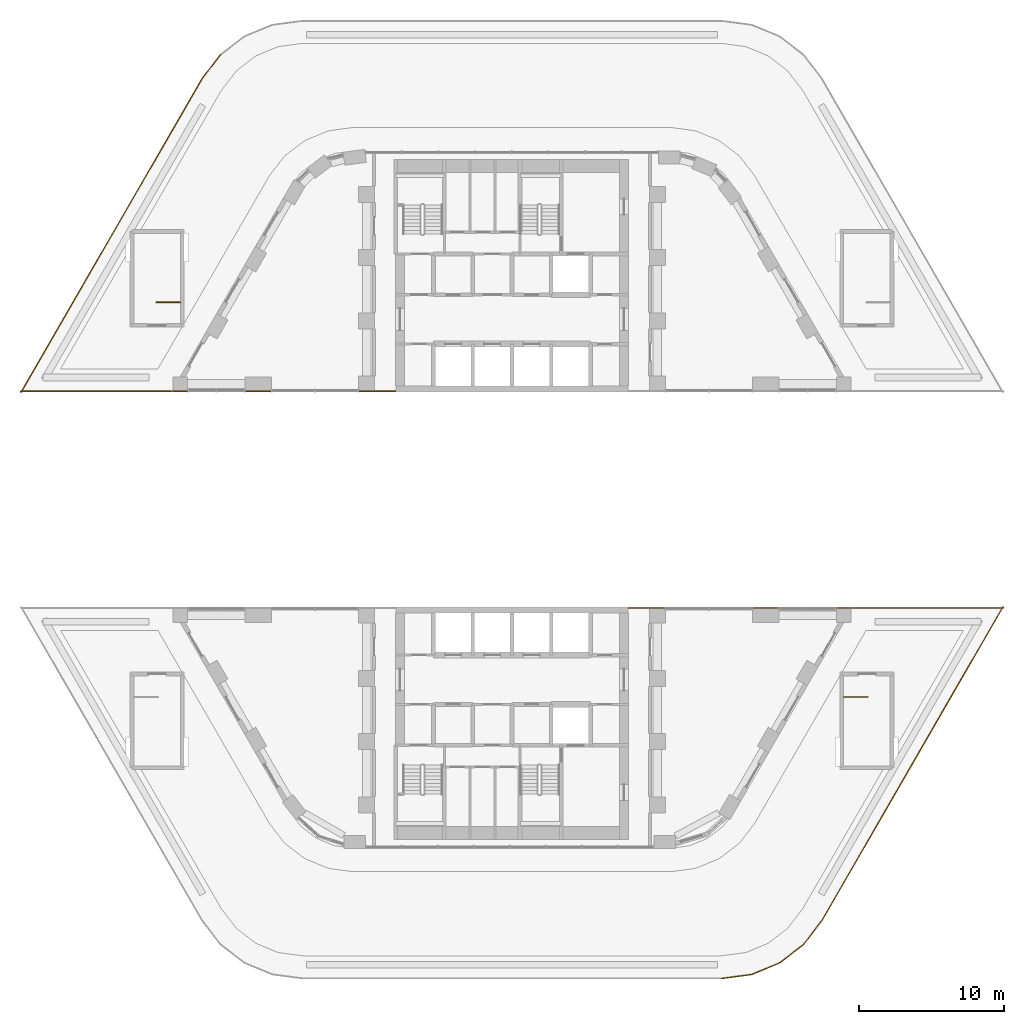
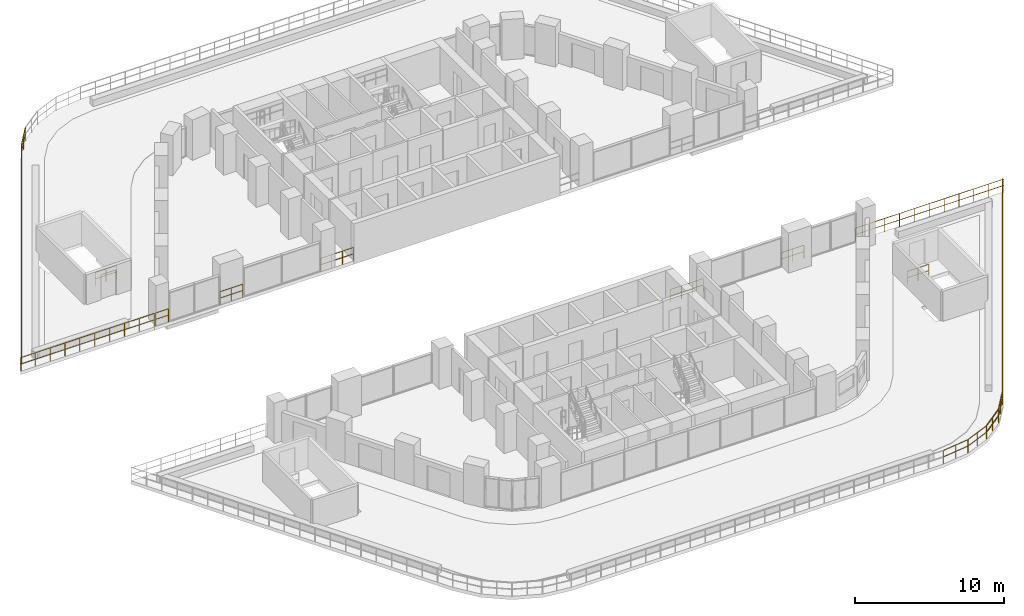
# One storey, part 20 of 24: 17 railings.
"""IFC4 building model written with IfcOpenShell, lengths in metres."""

from ifc_helpers import new_model, si_unit, direction, frame, origin, origin_2d, place, context, subcontext, project, spatial, circle, extrude, material, type_object, element, save


model = new_model("IFC4")

# Units and contexts
model_context = context("Model", 3, precision=1e-05, world=origin(), true_north=direction((0.0, 1.0)))
body_context = subcontext(model_context, "Body", "Model", "MODEL_VIEW")
ifc_project = project(units=[si_unit("LENGTHUNIT", "METRE"), si_unit("AREAUNIT", "SQUARE_METRE"), si_unit("VOLUMEUNIT", "CUBIC_METRE"), si_unit("PLANEANGLEUNIT", "RADIAN"), si_unit("MASSUNIT", "GRAM", prefix="KILO")], contexts=[model_context])

# Site, building, storey
site_placement = place(None, origin())
site = spatial("IfcSite", under=ifc_project, at=site_placement, CompositionType="ELEMENT")
building_placement = place(site_placement, origin())
building = spatial("IfcBuilding", under=site, at=building_placement, Name="Nakaniwa Court", CompositionType="ELEMENT")
storey_placement = place(building_placement, frame((0.0, 0.0, 28.199951171875)))
storey = spatial("IfcBuildingStorey", under=building, at=storey_placement, Name="L06", CompositionType="ELEMENT", Elevation=28.199951171875)

# Railings
ifc_material_1 = material(Name="Black powder-coated steel flat bar balustrade S275", Category="steel")
railing_type_1 = type_object("IfcRailingType", Name="Black metal terrace guard 1100", PredefinedType="GUARDRAIL", material=ifc_material_1)
railing_1_placement = place(storey_placement, frame((101.318603515625, 51.02490234375, 0.0)))
element("IfcRailing", 1, at=railing_1_placement, inside=storey, type_object=railing_type_1, Name="L06 play deck 1 guard 1", PredefinedType="GUARDRAIL", context=body_context, shape_type="SweptSolid", body=[
    extrude(circle(Radius=0.02392578125, at=origin_2d()), frame((0.0, 0.0, 1.076171875), z_axis=(0.499996419489, 0.866027470984, 0.0), x_axis=(-0.866027470984, 0.499996419489, 0.0)), (0.0, 0.0, 1.0), 24.941650390625),
    extrude(circle(Radius=0.02392578125, at=origin_2d()), frame((0.0, 0.0, 0.550048828125), z_axis=(0.499996419489, 0.866027470984, 0.0), x_axis=(-0.866027470984, 0.499996419489, 0.0)), (0.0, 0.0, 1.0), 24.941650390625),
    extrude(circle(Radius=0.02099609375, at=origin_2d()), origin(), (0.0, 0.0, 1.0), 1.052001953125),
    extrude(circle(Radius=0.02099609375, at=origin_2d()), frame((0.59375, 1.028564453125, 0.0)), (0.0, 0.0, 1.0), 1.052001953125),
    extrude(circle(Radius=0.02099609375, at=origin_2d()), frame((1.187744140625, 2.05712890625, 0.0)), (0.0, 0.0, 1.0), 1.052001953125),
    extrude(circle(Radius=0.02099609375, at=origin_2d()), frame((1.781494140625, 3.085693359375, 0.0)), (0.0, 0.0, 1.0), 1.052001953125),
    extrude(circle(Radius=0.02099609375, at=origin_2d()), frame((2.37548828125, 4.1142578125, 0.0)), (0.0, 0.0, 1.0), 1.052001953125),
    extrude(circle(Radius=0.02099609375, at=origin_2d()), frame((2.96923828125, 5.142822265625, 0.0)), (0.0, 0.0, 1.0), 1.052001953125),
    extrude(circle(Radius=0.02099609375, at=origin_2d()), frame((3.56298828125, 6.17138671875, 0.0)), (0.0, 0.0, 1.0), 1.052001953125),
    extrude(circle(Radius=0.02099609375, at=origin_2d()), frame((4.156982421875, 7.199951171875, 0.0)), (0.0, 0.0, 1.0), 1.052001953125),
    extrude(circle(Radius=0.02099609375, at=origin_2d()), frame((4.750732421875, 8.228515625, 0.0)), (0.0, 0.0, 1.0), 1.052001953125),
    extrude(circle(Radius=0.02099609375, at=origin_2d()), frame((5.344482421875, 9.257080078125, 0.0)), (0.0, 0.0, 1.0), 1.052001953125),
    extrude(circle(Radius=0.02099609375, at=origin_2d()), frame((5.9384765625, 10.28564453125, 0.0)), (0.0, 0.0, 1.0), 1.052001953125),
    extrude(circle(Radius=0.02099609375, at=origin_2d()), frame((6.5322265625, 11.314453125, 0.0)), (0.0, 0.0, 1.0), 1.052001953125),
    extrude(circle(Radius=0.02099609375, at=origin_2d()), frame((7.126220703125, 12.343017578125, 0.0)), (0.0, 0.0, 1.0), 1.052001953125),
    extrude(circle(Radius=0.02099609375, at=origin_2d()), frame((7.719970703125, 13.37158203125, 0.0)), (0.0, 0.0, 1.0), 1.052001953125),
    extrude(circle(Radius=0.02099609375, at=origin_2d()), frame((8.313720703125, 14.400146484375, 0.0)), (0.0, 0.0, 1.0), 1.052001953125),
    extrude(circle(Radius=0.02099609375, at=origin_2d()), frame((8.90771484375, 15.4287109375, 0.0)), (0.0, 0.0, 1.0), 1.052001953125),
    extrude(circle(Radius=0.02099609375, at=origin_2d()), frame((9.50146484375, 16.457275390625, 0.0)), (0.0, 0.0, 1.0), 1.052001953125),
    extrude(circle(Radius=0.02099609375, at=origin_2d()), frame((10.09521484375, 17.48583984375, 0.0)), (0.0, 0.0, 1.0), 1.052001953125),
    extrude(circle(Radius=0.02099609375, at=origin_2d()), frame((10.689208984375, 18.514404296875, 0.0)), (0.0, 0.0, 1.0), 1.052001953125),
    extrude(circle(Radius=0.02099609375, at=origin_2d()), frame((11.282958984375, 19.54296875, 0.0)), (0.0, 0.0, 1.0), 1.052001953125),
    extrude(circle(Radius=0.02099609375, at=origin_2d()), frame((11.876953125, 20.571533203125, 0.0)), (0.0, 0.0, 1.0), 1.052001953125),
    extrude(circle(Radius=0.02099609375, at=origin_2d()), frame((12.470703125, 21.60009765625, 0.0)), (0.0, 0.0, 1.0), 1.052001953125),
])
railing_2_placement = place(storey_placement, frame((113.832763671875, 72.550048828125, 0.0)))
element("IfcRailing", 2, at=railing_2_placement, inside=storey, type_object=railing_type_1, Name="L06 play deck 1 guard 2", PredefinedType="GUARDRAIL", context=body_context, shape_type="SweptSolid", body=[
    extrude(circle(Radius=0.02392578125, at=origin_2d()), frame((0.0, 0.0, 1.076171875), z_axis=(-1.0, 0.0, 0.0), x_axis=(0.0, -1.0, 0.0)), (0.0, 0.0, 1.0), 10.392333984375),
    extrude(circle(Radius=0.02392578125, at=origin_2d()), frame((0.0, 0.0, 0.550048828125), z_axis=(-1.0, 0.0, 0.0), x_axis=(0.0, -1.0, 0.0)), (0.0, 0.0, 1.0), 10.392333984375),
    extrude(circle(Radius=0.02099609375, at=origin_2d()), origin(), (0.0, 0.0, 1.0), 1.052001953125),
    extrude(circle(Radius=0.02099609375, at=origin_2d()), frame((-1.15478515625, 0.0, 0.0)), (0.0, 0.0, 1.0), 1.052001953125),
    extrude(circle(Radius=0.02099609375, at=origin_2d()), frame((-2.309326171875, 0.0, 0.0)), (0.0, 0.0, 1.0), 1.052001953125),
    extrude(circle(Radius=0.02099609375, at=origin_2d()), frame((-3.464111328125, 0.0, 0.0)), (0.0, 0.0, 1.0), 1.052001953125),
    extrude(circle(Radius=0.02099609375, at=origin_2d()), frame((-4.618896484375, 0.0, 0.0)), (0.0, 0.0, 1.0), 1.052001953125),
    extrude(circle(Radius=0.02099609375, at=origin_2d()), frame((-5.7734375, 0.0, 0.0)), (0.0, 0.0, 1.0), 1.052001953125),
    extrude(circle(Radius=0.02099609375, at=origin_2d()), frame((-6.92822265625, 0.0, 0.0)), (0.0, 0.0, 1.0), 1.052001953125),
    extrude(circle(Radius=0.02099609375, at=origin_2d()), frame((-8.0830078125, 0.0, 0.0)), (0.0, 0.0, 1.0), 1.052001953125),
    extrude(circle(Radius=0.02099609375, at=origin_2d()), frame((-9.237548828125, 0.0, 0.0)), (0.0, 0.0, 1.0), 1.052001953125),
    extrude(circle(Radius=0.02099609375, at=origin_2d()), frame((-10.392333984375, 0.0, 0.0)), (0.0, 0.0, 1.0), 1.052001953125),
])
railing_3_placement = place(storey_placement, frame((94.42724609375, 47.049560546875, 0.0)))
element("IfcRailing", 3, at=railing_3_placement, inside=storey, type_object=railing_type_1, Name="L06 play deck 1 guard 10", PredefinedType="GUARDRAIL", context=body_context, shape_type="SweptSolid", body=[
    extrude(circle(Radius=0.02392578125, at=origin_2d()), frame((0.0, 0.0, 1.076171875), z_axis=(0.991437974162, 0.130578495123, 0.0), x_axis=(-0.130578495123, 0.991437974162, 0.0)), (0.0, 0.0, 1.0), 2.08837890625),
    extrude(circle(Radius=0.02392578125, at=origin_2d()), frame((0.0, 0.0, 0.550048828125), z_axis=(0.991437974162, 0.130578495123, 0.0), x_axis=(-0.130578495123, 0.991437974162, 0.0)), (0.0, 0.0, 1.0), 2.08837890625),
    extrude(circle(Radius=0.02099609375, at=origin_2d()), origin(), (0.0, 0.0, 1.0), 1.052001953125),
    extrude(circle(Radius=0.02099609375, at=origin_2d()), frame((1.03515625, 0.13623046875, 0.0)), (0.0, 0.0, 1.0), 1.052001953125),
    extrude(circle(Radius=0.02099609375, at=origin_2d()), frame((2.070556640625, 0.272705078125, 0.0)), (0.0, 0.0, 1.0), 1.052001953125),
])
railing_4_placement = place(storey_placement, frame((96.485107421875, 47.31884765625, 0.0)))
element("IfcRailing", 4, at=railing_4_placement, inside=storey, type_object=railing_type_1, Name="L06 play deck 1 guard 11", PredefinedType="GUARDRAIL", context=body_context, shape_type="SweptSolid", body=[
    extrude(circle(Radius=0.02392578125, at=origin_2d()), frame((0.0, 0.0, 1.076171875), z_axis=(0.923918540982, 0.382589244007, 0.0), x_axis=(-0.382589244007, 0.923918540982, 0.0)), (0.0, 0.0, 1.0), 2.088623046875),
    extrude(circle(Radius=0.02392578125, at=origin_2d()), frame((0.0, 0.0, 0.550048828125), z_axis=(0.923918540982, 0.382589244007, 0.0), x_axis=(-0.382589244007, 0.923918540982, 0.0)), (0.0, 0.0, 1.0), 2.088623046875),
    extrude(circle(Radius=0.02099609375, at=origin_2d()), origin(), (0.0, 0.0, 1.0), 1.052001953125),
    extrude(circle(Radius=0.02099609375, at=origin_2d()), frame((0.96484375, 0.3994140625, 0.0)), (0.0, 0.0, 1.0), 1.052001953125),
    extrude(circle(Radius=0.02099609375, at=origin_2d()), frame((1.9296875, 0.799072265625, 0.0)), (0.0, 0.0, 1.0), 1.052001953125),
])
railing_5_placement = place(storey_placement, frame((98.4033203125, 48.111572265625, 0.0)))
element("IfcRailing", 5, at=railing_5_placement, inside=storey, type_object=railing_type_1, Name="L06 play deck 1 guard 12", PredefinedType="GUARDRAIL", context=body_context, shape_type="SweptSolid", body=[
    extrude(circle(Radius=0.02392578125, at=origin_2d()), frame((0.0, 0.0, 1.076171875), z_axis=(0.793401229683, 0.608699013255, 0.0), x_axis=(-0.608699013255, 0.793401229683, 0.0)), (0.0, 0.0, 1.0), 2.08837890625),
    extrude(circle(Radius=0.02392578125, at=origin_2d()), frame((0.0, 0.0, 0.550048828125), z_axis=(0.793401229683, 0.608699013255, 0.0), x_axis=(-0.608699013255, 0.793401229683, 0.0)), (0.0, 0.0, 1.0), 2.08837890625),
    extrude(circle(Radius=0.02099609375, at=origin_2d()), origin(), (0.0, 0.0, 1.0), 1.052001953125),
    extrude(circle(Radius=0.02099609375, at=origin_2d()), frame((0.82861328125, 0.6357421875, 0.0)), (0.0, 0.0, 1.0), 1.052001953125),
    extrude(circle(Radius=0.02099609375, at=origin_2d()), frame((1.656982421875, 1.271240234375, 0.0)), (0.0, 0.0, 1.0), 1.052001953125),
])
railing_6_placement = place(storey_placement, frame((100.05078125, 49.37353515625, 0.0)))
element("IfcRailing", 6, at=railing_6_placement, inside=storey, type_object=railing_type_1, Name="L06 play deck 1 guard 13", PredefinedType="GUARDRAIL", context=body_context, shape_type="SweptSolid", body=[
    extrude(circle(Radius=0.02392578125, at=origin_2d()), frame((0.0, 0.0, 1.076171875), z_axis=(0.608772592343, 0.793344774239, 0.0), x_axis=(-0.793344774239, 0.608772592343, 0.0)), (0.0, 0.0, 1.0), 2.088623046875),
    extrude(circle(Radius=0.02392578125, at=origin_2d()), frame((0.0, 0.0, 0.550048828125), z_axis=(0.608772592343, 0.793344774239, 0.0), x_axis=(-0.793344774239, 0.608772592343, 0.0)), (0.0, 0.0, 1.0), 2.088623046875),
    extrude(circle(Radius=0.02099609375, at=origin_2d()), origin(), (0.0, 0.0, 1.0), 1.052001953125),
    extrude(circle(Radius=0.02099609375, at=origin_2d()), frame((0.6357421875, 0.82861328125, 0.0)), (0.0, 0.0, 1.0), 1.052001953125),
    extrude(circle(Radius=0.02099609375, at=origin_2d()), frame((1.271484375, 1.656982421875, 0.0)), (0.0, 0.0, 1.0), 1.052001953125),
])
railing_7_placement = place(storey_placement, frame((58.681396484375, 108.97509765625, 0.0)))
element("IfcRailing", 7, at=railing_7_placement, inside=storey, type_object=railing_type_1, Name="L06 play deck 2 guard 1", PredefinedType="GUARDRAIL", context=body_context, shape_type="SweptSolid", body=[
    extrude(circle(Radius=0.02392578125, at=origin_2d()), frame((0.0, 0.0, 1.076171875), z_axis=(-0.499996419489, -0.866027470984, 0.0), x_axis=(0.866027470984, -0.499996419489, 0.0)), (0.0, 0.0, 1.0), 24.941650390625),
    extrude(circle(Radius=0.02392578125, at=origin_2d()), frame((0.0, 0.0, 0.550048828125), z_axis=(-0.499996419489, -0.866027470984, 0.0), x_axis=(0.866027470984, -0.499996419489, 0.0)), (0.0, 0.0, 1.0), 24.941650390625),
    extrude(circle(Radius=0.02099609375, at=origin_2d()), origin(), (0.0, 0.0, 1.0), 1.052001953125),
    extrude(circle(Radius=0.02099609375, at=origin_2d()), frame((-0.59375, -1.028564453125, 0.0)), (0.0, 0.0, 1.0), 1.052001953125),
    extrude(circle(Radius=0.02099609375, at=origin_2d()), frame((-1.187744140625, -2.05712890625, 0.0)), (0.0, 0.0, 1.0), 1.052001953125),
    extrude(circle(Radius=0.02099609375, at=origin_2d()), frame((-1.781494140625, -3.085693359375, 0.0)), (0.0, 0.0, 1.0), 1.052001953125),
    extrude(circle(Radius=0.02099609375, at=origin_2d()), frame((-2.37548828125, -4.1142578125, 0.0)), (0.0, 0.0, 1.0), 1.052001953125),
    extrude(circle(Radius=0.02099609375, at=origin_2d()), frame((-2.96923828125, -5.142822265625, 0.0)), (0.0, 0.0, 1.0), 1.052001953125),
    extrude(circle(Radius=0.02099609375, at=origin_2d()), frame((-3.56298828125, -6.17138671875, 0.0)), (0.0, 0.0, 1.0), 1.052001953125),
    extrude(circle(Radius=0.02099609375, at=origin_2d()), frame((-4.156982421875, -7.199951171875, 0.0)), (0.0, 0.0, 1.0), 1.052001953125),
    extrude(circle(Radius=0.02099609375, at=origin_2d()), frame((-4.750732421875, -8.228515625, 0.0)), (0.0, 0.0, 1.0), 1.052001953125),
    extrude(circle(Radius=0.02099609375, at=origin_2d()), frame((-5.344482421875, -9.257080078125, 0.0)), (0.0, 0.0, 1.0), 1.052001953125),
    extrude(circle(Radius=0.02099609375, at=origin_2d()), frame((-5.9384765625, -10.28564453125, 0.0)), (0.0, 0.0, 1.0), 1.052001953125),
    extrude(circle(Radius=0.02099609375, at=origin_2d()), frame((-6.5322265625, -11.314453125, 0.0)), (0.0, 0.0, 1.0), 1.052001953125),
    extrude(circle(Radius=0.02099609375, at=origin_2d()), frame((-7.126220703125, -12.343017578125, 0.0)), (0.0, 0.0, 1.0), 1.052001953125),
    extrude(circle(Radius=0.02099609375, at=origin_2d()), frame((-7.719970703125, -13.37158203125, 0.0)), (0.0, 0.0, 1.0), 1.052001953125),
    extrude(circle(Radius=0.02099609375, at=origin_2d()), frame((-8.313720703125, -14.400146484375, 0.0)), (0.0, 0.0, 1.0), 1.052001953125),
    extrude(circle(Radius=0.02099609375, at=origin_2d()), frame((-8.90771484375, -15.4287109375, 0.0)), (0.0, 0.0, 1.0), 1.052001953125),
    extrude(circle(Radius=0.02099609375, at=origin_2d()), frame((-9.50146484375, -16.457275390625, 0.0)), (0.0, 0.0, 1.0), 1.052001953125),
    extrude(circle(Radius=0.02099609375, at=origin_2d()), frame((-10.09521484375, -17.48583984375, 0.0)), (0.0, 0.0, 1.0), 1.052001953125),
    extrude(circle(Radius=0.02099609375, at=origin_2d()), frame((-10.689208984375, -18.514404296875, 0.0)), (0.0, 0.0, 1.0), 1.052001953125),
    extrude(circle(Radius=0.02099609375, at=origin_2d()), frame((-11.282958984375, -19.54296875, 0.0)), (0.0, 0.0, 1.0), 1.052001953125),
    extrude(circle(Radius=0.02099609375, at=origin_2d()), frame((-11.876953125, -20.571533203125, 0.0)), (0.0, 0.0, 1.0), 1.052001953125),
    extrude(circle(Radius=0.02099609375, at=origin_2d()), frame((-12.470703125, -21.60009765625, 0.0)), (0.0, 0.0, 1.0), 1.052001953125),
])
railing_8_placement = place(storey_placement, frame((46.167236328125, 87.449951171875, 0.0)))
element("IfcRailing", 8, at=railing_8_placement, inside=storey, type_object=railing_type_1, Name="L06 play deck 2 guard 2", PredefinedType="GUARDRAIL", context=body_context, shape_type="SweptSolid", body=[
    extrude(circle(Radius=0.02392578125, at=origin_2d()), frame((0.0, 0.0, 1.076171875), z_axis=(1.0, 0.0, 0.0), x_axis=(0.0, 1.0, 0.0)), (0.0, 0.0, 1.0), 10.392333984375),
    extrude(circle(Radius=0.02392578125, at=origin_2d()), frame((0.0, 0.0, 0.550048828125), z_axis=(1.0, 0.0, 0.0), x_axis=(0.0, 1.0, 0.0)), (0.0, 0.0, 1.0), 10.392333984375),
    extrude(circle(Radius=0.02099609375, at=origin_2d()), origin(), (0.0, 0.0, 1.0), 1.052001953125),
    extrude(circle(Radius=0.02099609375, at=origin_2d()), frame((1.15478515625, 0.0, 0.0)), (0.0, 0.0, 1.0), 1.052001953125),
    extrude(circle(Radius=0.02099609375, at=origin_2d()), frame((2.309326171875, 0.0, 0.0)), (0.0, 0.0, 1.0), 1.052001953125),
    extrude(circle(Radius=0.02099609375, at=origin_2d()), frame((3.464111328125, 0.0, 0.0)), (0.0, 0.0, 1.0), 1.052001953125),
    extrude(circle(Radius=0.02099609375, at=origin_2d()), frame((4.618896484375, 0.0, 0.0)), (0.0, 0.0, 1.0), 1.052001953125),
    extrude(circle(Radius=0.02099609375, at=origin_2d()), frame((5.7734375, 0.0, 0.0)), (0.0, 0.0, 1.0), 1.052001953125),
    extrude(circle(Radius=0.02099609375, at=origin_2d()), frame((6.92822265625, 0.0, 0.0)), (0.0, 0.0, 1.0), 1.052001953125),
    extrude(circle(Radius=0.02099609375, at=origin_2d()), frame((8.0830078125, 0.0, 0.0)), (0.0, 0.0, 1.0), 1.052001953125),
    extrude(circle(Radius=0.02099609375, at=origin_2d()), frame((9.237548828125, 0.0, 0.0)), (0.0, 0.0, 1.0), 1.052001953125),
    extrude(circle(Radius=0.02099609375, at=origin_2d()), frame((10.392333984375, 0.0, 0.0)), (0.0, 0.0, 1.0), 1.052001953125),
])
railing_9_placement = place(storey_placement, frame((59.94921875, 110.62646484375, 0.0)))
element("IfcRailing", 9, at=railing_9_placement, inside=storey, type_object=railing_type_1, Name="L06 play deck 2 guard 13", PredefinedType="GUARDRAIL", context=body_context, shape_type="SweptSolid", body=[
    extrude(circle(Radius=0.02392578125, at=origin_2d()), frame((0.0, 0.0, 1.076171875), z_axis=(-0.608772592343, -0.793344774239, 0.0), x_axis=(0.793344774239, -0.608772592343, 0.0)), (0.0, 0.0, 1.0), 2.088623046875),
    extrude(circle(Radius=0.02392578125, at=origin_2d()), frame((0.0, 0.0, 0.550048828125), z_axis=(-0.608772592343, -0.793344774239, 0.0), x_axis=(0.793344774239, -0.608772592343, 0.0)), (0.0, 0.0, 1.0), 2.088623046875),
    extrude(circle(Radius=0.02099609375, at=origin_2d()), origin(), (0.0, 0.0, 1.0), 1.052001953125),
    extrude(circle(Radius=0.02099609375, at=origin_2d()), frame((-0.6357421875, -0.82861328125, 0.0)), (0.0, 0.0, 1.0), 1.052001953125),
    extrude(circle(Radius=0.02099609375, at=origin_2d()), frame((-1.271484375, -1.656982421875, 0.0)), (0.0, 0.0, 1.0), 1.052001953125),
])
ifc_material_2 = material(Name="Black powder coated steel guard", Category="steel")
railing_type_2 = type_object("IfcRailingType", Name="Stair guard 1100", PredefinedType="GUARDRAIL", material=ifc_material_2)
railing_10_placement = place(storey_placement, frame((57.175048828125, 93.574951171875, 0.0)))
element("IfcRailing", 10, at=railing_10_placement, inside=storey, type_object=railing_type_2, Name="L06 SS2 top well guard 1", PredefinedType="GUARDRAIL", context=body_context, shape_type="SweptSolid", body=[
    extrude(circle(Radius=0.02392578125, at=origin_2d()), frame((0.0, 0.0, 1.076171875), z_axis=(-1.0, 0.0, 0.0), x_axis=(0.0, -1.0, 0.0)), (0.0, 0.0, 1.0), 1.650146484375),
    extrude(circle(Radius=0.02392578125, at=origin_2d()), frame((0.0, 0.0, 0.550048828125), z_axis=(-1.0, 0.0, 0.0), x_axis=(0.0, -1.0, 0.0)), (0.0, 0.0, 1.0), 1.650146484375),
    extrude(circle(Radius=0.02099609375, at=origin_2d()), origin(), (0.0, 0.0, 1.0), 1.052001953125),
    extrude(circle(Radius=0.02099609375, at=origin_2d()), frame((-0.8251953125, 0.0, 0.0)), (0.0, 0.0, 1.0), 1.052001953125),
    extrude(circle(Radius=0.02099609375, at=origin_2d()), frame((-1.650146484375, 0.0, 0.0)), (0.0, 0.0, 1.0), 1.052001953125),
])
railing_11_placement = place(storey_placement, frame((102.824951171875, 66.425048828125, 0.0)))
element("IfcRailing", 11, at=railing_11_placement, inside=storey, type_object=railing_type_2, Name="L06 SS3 top well guard 1", PredefinedType="GUARDRAIL", context=body_context, shape_type="SweptSolid", body=[
    extrude(circle(Radius=0.02392578125, at=origin_2d()), frame((0.0, 0.0, 1.076171875), z_axis=(1.0, 0.0, 0.0), x_axis=(0.0, 1.0, 0.0)), (0.0, 0.0, 1.0), 1.650146484375),
    extrude(circle(Radius=0.02392578125, at=origin_2d()), frame((0.0, 0.0, 0.550048828125), z_axis=(1.0, 0.0, 0.0), x_axis=(0.0, 1.0, 0.0)), (0.0, 0.0, 1.0), 1.650146484375),
    extrude(circle(Radius=0.02099609375, at=origin_2d()), origin(), (0.0, 0.0, 1.0), 1.052001953125),
    extrude(circle(Radius=0.02099609375, at=origin_2d()), frame((0.8251953125, 0.0, 0.0)), (0.0, 0.0, 1.0), 1.052001953125),
    extrude(circle(Radius=0.02099609375, at=origin_2d()), frame((1.650146484375, 0.0, 0.0)), (0.0, 0.0, 1.0), 1.052001953125),
])
railing_12_placement = place(storey_placement, frame((88.009033203125, 72.550048828125, 0.0)))
element("IfcRailing", 12, at=railing_12_placement, inside=storey, type_object=railing_type_2, Name="GUARD GD-L06-104", PredefinedType="GUARDRAIL", context=body_context, shape_type="SweptSolid", body=[
    extrude(circle(Radius=0.02392578125, at=origin_2d()), frame((0.0, 0.0, 1.076171875), z_axis=(1.0, 0.0, 0.0), x_axis=(0.0, 1.0, 0.0)), (0.0, 0.0, 1.0), 2.514892578125),
    extrude(circle(Radius=0.02392578125, at=origin_2d()), frame((0.0, 0.0, 0.550048828125), z_axis=(1.0, 0.0, 0.0), x_axis=(0.0, 1.0, 0.0)), (0.0, 0.0, 1.0), 2.514892578125),
    extrude(circle(Radius=0.02099609375, at=origin_2d()), origin(), (0.0, 0.0, 1.0), 1.052001953125),
    extrude(circle(Radius=0.02099609375, at=origin_2d()), frame((0.83837890625, 0.0, 0.0)), (0.0, 0.0, 1.0), 1.052001953125),
    extrude(circle(Radius=0.02099609375, at=origin_2d()), frame((1.676513671875, 0.0, 0.0)), (0.0, 0.0, 1.0), 1.052001953125),
    extrude(circle(Radius=0.02099609375, at=origin_2d()), frame((2.514892578125, 0.0, 0.0)), (0.0, 0.0, 1.0), 1.052001953125),
])
railing_13_placement = place(storey_placement, frame((96.58740234375, 72.550048828125, 0.0)))
element("IfcRailing", 13, at=railing_13_placement, inside=storey, type_object=railing_type_2, Name="GUARD GD-L06-105", PredefinedType="GUARDRAIL", context=body_context, shape_type="SweptSolid", body=[
    extrude(circle(Radius=0.02392578125, at=origin_2d()), frame((0.0, 0.0, 1.076171875), z_axis=(1.0, 0.0, 0.0), x_axis=(0.0, 1.0, 0.0)), (0.0, 0.0, 1.0), 1.75634765625),
    extrude(circle(Radius=0.02392578125, at=origin_2d()), frame((0.0, 0.0, 0.550048828125), z_axis=(1.0, 0.0, 0.0), x_axis=(0.0, 1.0, 0.0)), (0.0, 0.0, 1.0), 1.75634765625),
    extrude(circle(Radius=0.02099609375, at=origin_2d()), origin(), (0.0, 0.0, 1.0), 1.052001953125),
    extrude(circle(Radius=0.02099609375, at=origin_2d()), frame((0.878173828125, 0.0, 0.0)), (0.0, 0.0, 1.0), 1.052001953125),
    extrude(circle(Radius=0.02099609375, at=origin_2d()), frame((1.75634765625, 0.0, 0.0)), (0.0, 0.0, 1.0), 1.052001953125),
])
railing_14_placement = place(storey_placement, frame((102.343017578125, 72.550048828125, 0.0)))
element("IfcRailing", 14, at=railing_14_placement, inside=storey, type_object=railing_type_2, Name="GUARD GD-L06-106", PredefinedType="GUARDRAIL", context=body_context, shape_type="SweptSolid", body=[
    extrude(circle(Radius=0.02392578125, at=origin_2d()), frame((0.0, 0.0, 1.076171875), z_axis=(1.0, 0.0, 0.0), x_axis=(0.0, 1.0, 0.0)), (0.0, 0.0, 1.0), 0.988037109375),
    extrude(circle(Radius=0.02392578125, at=origin_2d()), frame((0.0, 0.0, 0.550048828125), z_axis=(1.0, 0.0, 0.0), x_axis=(0.0, 1.0, 0.0)), (0.0, 0.0, 1.0), 0.988037109375),
    extrude(circle(Radius=0.02099609375, at=origin_2d()), origin(), (0.0, 0.0, 1.0), 1.052001953125),
    extrude(circle(Radius=0.02099609375, at=origin_2d()), frame((0.988037109375, 0.0, 0.0)), (0.0, 0.0, 1.0), 1.052001953125),
])
railing_15_placement = place(storey_placement, frame((71.990966796875, 87.449951171875, 0.0)))
element("IfcRailing", 15, at=railing_15_placement, inside=storey, type_object=railing_type_2, Name="GUARD GD-L06-110", PredefinedType="GUARDRAIL", context=body_context, shape_type="SweptSolid", body=[
    extrude(circle(Radius=0.02392578125, at=origin_2d()), frame((0.0, 0.0, 1.076171875), z_axis=(-1.0, 0.0, 0.0), x_axis=(0.0, -1.0, 0.0)), (0.0, 0.0, 1.0), 2.514892578125),
    extrude(circle(Radius=0.02392578125, at=origin_2d()), frame((0.0, 0.0, 0.550048828125), z_axis=(-1.0, 0.0, 0.0), x_axis=(0.0, -1.0, 0.0)), (0.0, 0.0, 1.0), 2.514892578125),
    extrude(circle(Radius=0.02099609375, at=origin_2d()), origin(), (0.0, 0.0, 1.0), 1.052001953125),
    extrude(circle(Radius=0.02099609375, at=origin_2d()), frame((-0.83837890625, 0.0, 0.0)), (0.0, 0.0, 1.0), 1.052001953125),
    extrude(circle(Radius=0.02099609375, at=origin_2d()), frame((-1.676513671875, 0.0, 0.0)), (0.0, 0.0, 1.0), 1.052001953125),
    extrude(circle(Radius=0.02099609375, at=origin_2d()), frame((-2.514892578125, 0.0, 0.0)), (0.0, 0.0, 1.0), 1.052001953125),
])
railing_16_placement = place(storey_placement, frame((63.41259765625, 87.449951171875, 0.0)))
element("IfcRailing", 16, at=railing_16_placement, inside=storey, type_object=railing_type_2, Name="GUARD GD-L06-111", PredefinedType="GUARDRAIL", context=body_context, shape_type="SweptSolid", body=[
    extrude(circle(Radius=0.02392578125, at=origin_2d()), frame((0.0, 0.0, 1.076171875), z_axis=(-1.0, 0.0, 0.0), x_axis=(0.0, -1.0, 0.0)), (0.0, 0.0, 1.0), 1.75634765625),
    extrude(circle(Radius=0.02392578125, at=origin_2d()), frame((0.0, 0.0, 0.550048828125), z_axis=(-1.0, 0.0, 0.0), x_axis=(0.0, -1.0, 0.0)), (0.0, 0.0, 1.0), 1.75634765625),
    extrude(circle(Radius=0.02099609375, at=origin_2d()), origin(), (0.0, 0.0, 1.0), 1.052001953125),
    extrude(circle(Radius=0.02099609375, at=origin_2d()), frame((-0.878173828125, 0.0, 0.0)), (0.0, 0.0, 1.0), 1.052001953125),
    extrude(circle(Radius=0.02099609375, at=origin_2d()), frame((-1.75634765625, 0.0, 0.0)), (0.0, 0.0, 1.0), 1.052001953125),
])
railing_17_placement = place(storey_placement, frame((57.656982421875, 87.449951171875, 0.0)))
element("IfcRailing", 17, at=railing_17_placement, inside=storey, type_object=railing_type_2, Name="GUARD GD-L06-112", PredefinedType="GUARDRAIL", context=body_context, shape_type="SweptSolid", body=[
    extrude(circle(Radius=0.02392578125, at=origin_2d()), frame((0.0, 0.0, 1.076171875), z_axis=(-1.0, 0.0, 0.0), x_axis=(0.0, -1.0, 0.0)), (0.0, 0.0, 1.0), 0.988037109375),
    extrude(circle(Radius=0.02392578125, at=origin_2d()), frame((0.0, 0.0, 0.550048828125), z_axis=(-1.0, 0.0, 0.0), x_axis=(0.0, -1.0, 0.0)), (0.0, 0.0, 1.0), 0.988037109375),
    extrude(circle(Radius=0.02099609375, at=origin_2d()), origin(), (0.0, 0.0, 1.0), 1.052001953125),
    extrude(circle(Radius=0.02099609375, at=origin_2d()), frame((-0.988037109375, 0.0, 0.0)), (0.0, 0.0, 1.0), 1.052001953125),
])

save(model, "model.ifc")
